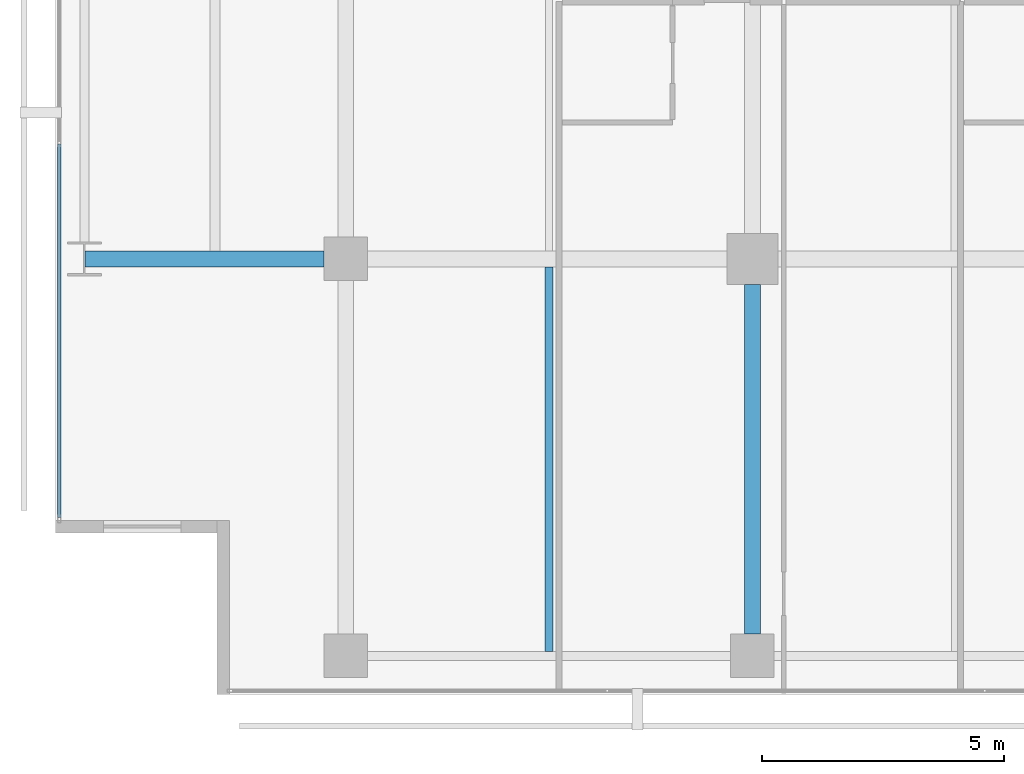
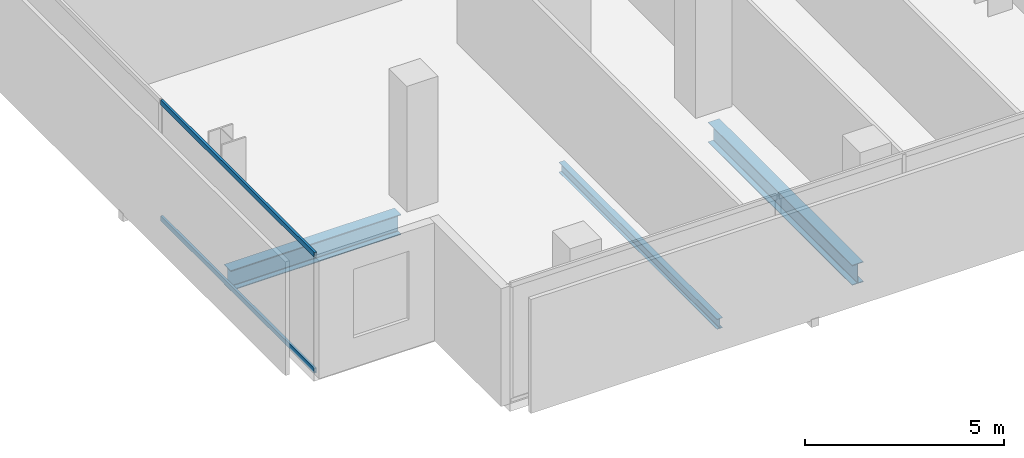
# One storey, part 4 of 39: 3 beams, 2 members, 1 element without a shape of its own.
"""IFC4 building model written with IfcOpenShell, lengths in metres."""

from ifc_helpers import new_model, si_unit, direction, frame, origin, origin_2d, place, context, subcontext, project, spatial, hollow_rectangle, i_section, extrude, material, layer, layer_set, material_profile, profile_set, type_object, element, aggregate, save


model = new_model("IFC4")

# Units and contexts
model_context = context("Model", 3, precision=1e-05, world=origin(), true_north=direction((0.0, 1.0)))
body_context = subcontext(model_context, "Body", "Model", "MODEL_VIEW")
ifc_project = project(units=[si_unit("LENGTHUNIT", "METRE"), si_unit("AREAUNIT", "SQUARE_METRE"), si_unit("VOLUMEUNIT", "CUBIC_METRE"), si_unit("PLANEANGLEUNIT", "RADIAN"), si_unit("MASSUNIT", "GRAM", prefix="KILO")], contexts=[model_context])

# Site, building, storey
site_placement = place(None, origin())
site = spatial("IfcSite", under=ifc_project, at=site_placement, CompositionType="ELEMENT")
building_placement = place(site_placement, origin())
building = spatial("IfcBuilding", under=site, at=building_placement, Name="Maruvema Waterfront Hotel and Observation Tower", CompositionType="ELEMENT")
storey_placement = place(building_placement, frame((0.0, 0.0, 46.199951171875)))
storey = spatial("IfcBuildingStorey", under=building, at=storey_placement, Name="L10", CompositionType="ELEMENT", Elevation=46.199951171875)

# Curtain wall, members
ifc_material_1 = material(Name="Anodised bronze aluminium and solar-control low-E IGU", Category="aluminium")
ifc_layer = layer(ifc_material_1, 0.159912109375, Name="Zone 1 Bronze Inner Thermal Curtain Wall System CW-02")
ifc_layer_set = layer_set([ifc_layer], Name="Anodised bronze aluminium and solar-control low-E IGU")
curtain_wall_type = type_object("IfcCurtainWallType", Name="Zone 1 Bronze Inner Thermal Curtain Wall System CW-02", PredefinedType="USERDEFINED", material=ifc_layer_set)
curtain_wall_placement = place(storey_placement, origin())
curtain_wall = element("IfcCurtainWall", 1, at=curtain_wall_placement, inside=storey, type_object=curtain_wall_type, Name="L10 Curtain Wall CW-L10-W", ObjectType="UNITISED CURTAIN WALL", PredefinedType="USERDEFINED")
ifc_material_2 = material(Name="Anodised architectural bronze aluminium", Category="aluminium")
ifc_material_profile_1 = material_profile(ifc_material_2, hollow_rectangle(XDim=0.070068359375, YDim=0.14990234375, WallThickness=0.00390625, at=origin_2d()), Name="ALU-T70x150")
ifc_profile_set_1 = profile_set([ifc_material_profile_1], Name="Anodised architectural bronze aluminium")
member_type = type_object("IfcMemberType", Name="Curtain Wall Horizontal Transom ALU-T70x150", PredefinedType="USERDEFINED", material=ifc_profile_set_1)
member_1_placement = place(storey_placement, frame((10.8798828125, 11.3701171875, 0.030029296875), z_axis=(0.0, -1.0, 0.0), x_axis=(1.0, 0.0, 0.0)))
member_1 = element("IfcMember", 2, at=member_1_placement, type_object=member_type, Name="CW-02 transom 6.1", ObjectType="TRANSOM", PredefinedType="USERDEFINED", context=body_context, shape_type="SweptSolid", body=[
    extrude(hollow_rectangle(XDim=0.070068359375, YDim=0.14990234375, WallThickness=0.00390625, at=origin_2d()), origin(), (0.0, 0.0, 1.0), 7.710205078125),
])
member_2_placement = place(storey_placement, frame((10.8798828125, 11.3701171875, 3.580078125), z_axis=(0.0, -1.0, 0.0), x_axis=(1.0, 0.0, 0.0)))
member_2 = element("IfcMember", 3, at=member_2_placement, type_object=member_type, Name="CW-02 transom 6.2", ObjectType="TRANSOM", PredefinedType="USERDEFINED", context=body_context, shape_type="SweptSolid", body=[
    extrude(hollow_rectangle(XDim=0.070068359375, YDim=0.14990234375, WallThickness=0.00390625, at=origin_2d()), origin(), (0.0, 0.0, 1.0), 7.710205078125),
])
aggregate(curtain_wall, [member_1, member_2])

# Beams
ifc_material_3 = material(Name="Steel ASTM A572 Grade 50", Category="steel")
ifc_material_profile_2 = material_profile(ifc_material_3, i_section(OverallWidth=0.326904296875, OverallDepth=0.6220703125, WebThickness=0.015380859375, FlangeThickness=0.0244140625, FilletRadius=0.01806640625, at=origin_2d()), Name="W610x195.0")
ifc_profile_set_2 = profile_set([ifc_material_profile_2], Name="Steel ASTM A572 Grade 50")
beam_type_1 = type_object("IfcBeamType", Name="Primary Floor Girder W610x195.0", PredefinedType="BEAM", material=ifc_profile_set_2)
beam_1_placement = place(storey_placement, frame((11.4140625, 9.0, -0.551025390625), z_axis=(1.0, 0.0, 0.0), x_axis=(0.0, 1.0, 0.0)))
element("IfcBeam", 4, at=beam_1_placement, inside=storey, type_object=beam_type_1, Name="L10 Floor Girder EW-06", PredefinedType="BEAM", context=body_context, shape_type="SweptSolid", body=[
    extrude(i_section(OverallWidth=0.326904296875, OverallDepth=0.6220703125, WebThickness=0.015380859375, FlangeThickness=0.0244140625, FilletRadius=0.01806640625, at=origin_2d()), origin(), (0.0, 0.0, 1.0), 4.93603515625),
])
beam_2_placement = place(storey_placement, frame((25.199951171875, 1.25, -0.551025390625), z_axis=(0.0, 1.0, 0.0), x_axis=(-1.0, 0.0, 0.0)))
element("IfcBeam", 5, at=beam_2_placement, inside=storey, type_object=beam_type_1, Name="L10 Floor Girder NS-11", PredefinedType="BEAM", context=body_context, shape_type="SweptSolid", body=[
    extrude(i_section(OverallWidth=0.326904296875, OverallDepth=0.6220703125, WebThickness=0.015380859375, FlangeThickness=0.0244140625, FilletRadius=0.01806640625, at=origin_2d()), origin(), (0.0, 0.0, 1.0), 7.22509765625),
])
ifc_material_4 = material(Name="Steel ASTM A572 Grade 50", Category="steel")
ifc_material_profile_3 = material_profile(ifc_material_4, i_section(OverallWidth=0.1650390625, OverallDepth=0.31005859375, WebThickness=0.005859375, FlangeThickness=0.009765625, FilletRadius=0.012939453125, at=origin_2d()), Name="W310x38.7")
ifc_profile_set_3 = profile_set([ifc_material_profile_3], Name="Steel ASTM A572 Grade 50")
beam_type_2 = type_object("IfcBeamType", Name="Secondary Floor Joist W310x38.7", PredefinedType="JOIST", material=ifc_profile_set_3)
beam_3_placement = place(storey_placement, frame((21.0, 0.89501953125, -0.39501953125), z_axis=(0.0, 1.0, 0.0), x_axis=(-1.0, 0.0, 0.0)))
element("IfcBeam", 6, at=beam_3_placement, inside=storey, type_object=beam_type_2, Name="L10 Secondary Floor Joist JS-05", PredefinedType="JOIST", context=body_context, shape_type="SweptSolid", body=[
    extrude(i_section(OverallWidth=0.1650390625, OverallDepth=0.31005859375, WebThickness=0.005859375, FlangeThickness=0.009765625, FilletRadius=0.012939453125, at=origin_2d()), origin(), (0.0, 0.0, 1.0), 7.94140625),
])

save(model, "model.ifc")
